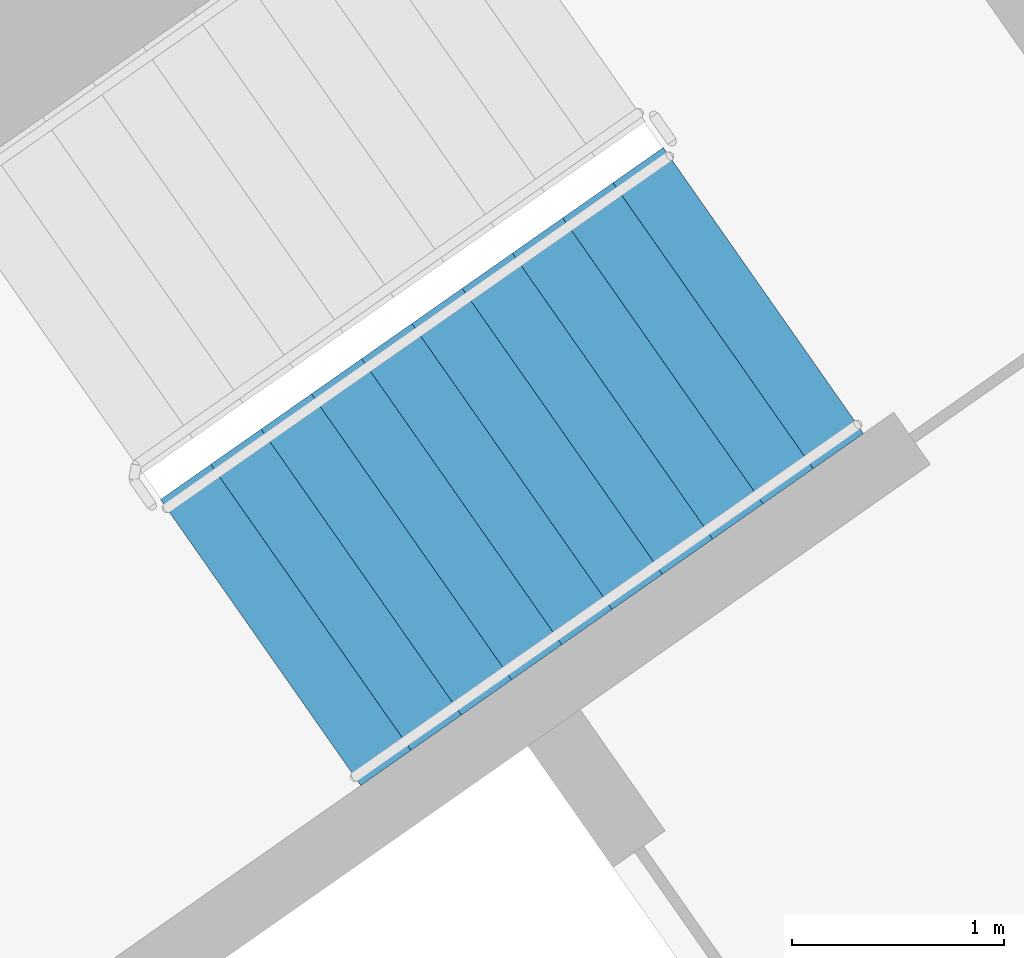
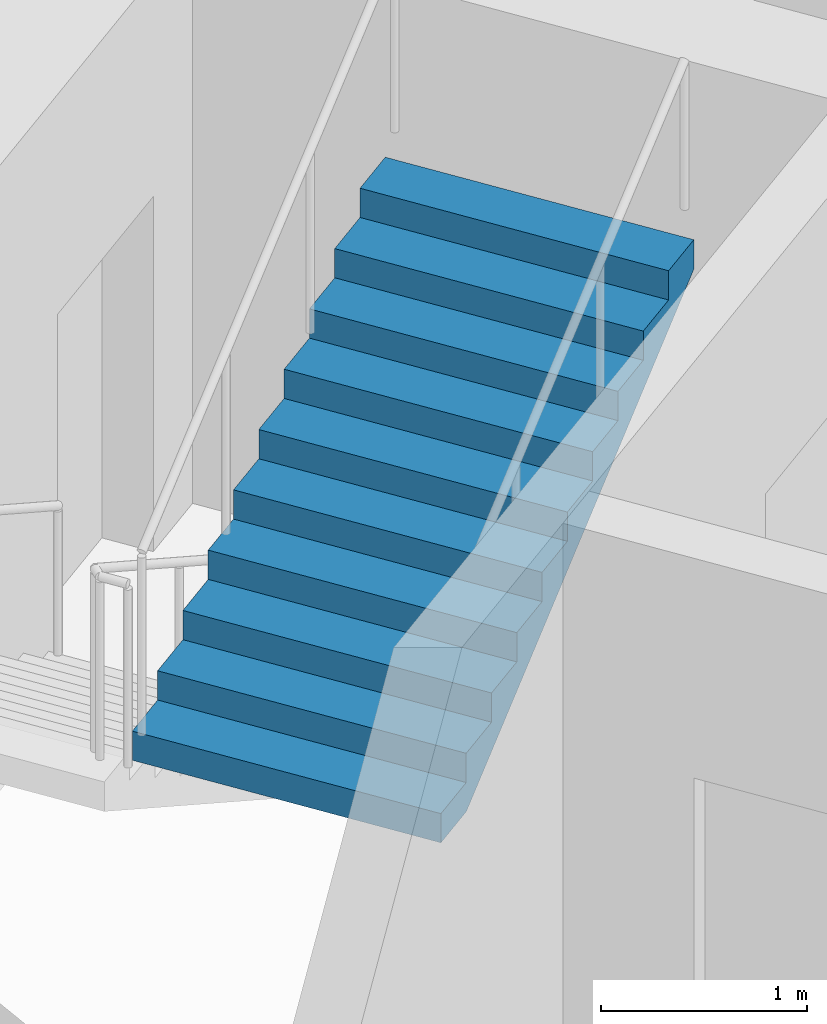
# One storey, part 15 of 27: 1 stair flight, 1 element without a shape of its own.
"""IFC4 building model written with IfcOpenShell, lengths in metres."""

from ifc_helpers import new_model, si_unit, direction, frame, origin, place, context, subcontext, project, spatial, faceted_brep, material, type_object, element, aggregate, save


model = new_model("IFC4")

# Units and contexts
model_context = context("Model", 3, precision=1e-05, world=origin(), true_north=direction((0.0, 1.0)))
body_context = subcontext(model_context, "Body", "Model", "MODEL_VIEW")
ifc_project = project(units=[si_unit("LENGTHUNIT", "METRE"), si_unit("AREAUNIT", "SQUARE_METRE"), si_unit("VOLUMEUNIT", "CUBIC_METRE"), si_unit("PLANEANGLEUNIT", "RADIAN"), si_unit("MASSUNIT", "GRAM", prefix="KILO")], contexts=[model_context])

# Site, building, storey
site_placement = place(None, origin())
site = spatial("IfcSite", under=ifc_project, at=site_placement, CompositionType="ELEMENT")
building_placement = place(site_placement, origin())
building = spatial("IfcBuilding", under=site, at=building_placement, Name="Qamariyya Broadcast Tower", CompositionType="ELEMENT")
storey_placement = place(building_placement, frame((0.0, 0.0, 194.89990234375)))
storey = spatial("IfcBuildingStorey", under=building, at=storey_placement, Name="L46", CompositionType="ELEMENT", Elevation=194.89990234375)

# Stair, stair flight
ifc_material = material(Name="Concrete C50/60", Category="concrete")
stair_type = type_object("IfcStairType", Name="Exit stair 22 risers of 173 mm", PredefinedType="HALF_TURN_STAIR", material=ifc_material)
stair_placement = place(storey_placement, origin())
stair = element("IfcStair", 1, at=stair_placement, inside=storey, type_object=stair_type, Name="L46 Stair E2", PredefinedType="HALF_TURN_STAIR")
stair_flight_type = type_object("IfcStairFlightType", Name="Exit stair flight 11 risers of 173 mm", PredefinedType="STRAIGHT", material=ifc_material)
stair_flight_placement = place(storey_placement, frame((39.215576171875, -50.822998046875, 1.900146484375), z_axis=(0.0, 0.0, 1.0), x_axis=(0.819152044289, 0.573576436351, 0.0)))
stair_flight = element("IfcStairFlight", 2, at=stair_flight_placement, type_object=stair_flight_type, Name="ST-E2 flight 2", NumberOfRisers=11, NumberOfTreads=10, PredefinedType="STRAIGHT", RiserHeight=0.172727273, TreadLength=0.29, context=body_context, shape_type="Brep", body=[
    faceted_brep([(0.0, 0.824951171875, 0.0), (0.0, 0.824951171875, 0.172607421875), (0.2900390625, 0.824951171875, 0.172607421875), (0.2900390625, 0.824951171875, 0.345458984375), (0.580078125, 0.824951171875, 0.345458984375), (0.580078125, 0.824951171875, 0.51806640625), (0.8701171875, 0.824951171875, 0.51806640625), (0.8701171875, 0.824951171875, 0.69091796875), (1.159912109375, 0.824951171875, 0.69091796875), (1.159912109375, 0.824951171875, 0.863525390625), (1.449951171875, 0.824951171875, 0.863525390625), (1.449951171875, 0.824951171875, 1.036376953125), (1.739990234375, 0.824951171875, 1.036376953125), (1.739990234375, 0.824951171875, 1.208984375), (2.030029296875, 0.824951171875, 1.208984375), (2.030029296875, 0.824951171875, 1.3818359375), (2.320068359375, 0.824951171875, 1.3818359375), (2.320068359375, 0.824951171875, 1.554443359375), (2.610107421875, 0.824951171875, 1.554443359375), (2.610107421875, 0.824951171875, 1.727294921875), (2.89990234375, 0.824951171875, 1.727294921875), (2.89990234375, 0.824951171875, 1.552734375), (0.29296875, 0.824951171875, 0.0), (0.29296875, -0.824951171875, 0.0), (2.89990234375, -0.824951171875, 1.552734375), (2.89990234375, -0.824951171875, 1.727294921875), (2.610107421875, -0.824951171875, 1.727294921875), (2.610107421875, -0.824951171875, 1.554443359375), (2.320068359375, -0.824951171875, 1.554443359375), (2.320068359375, -0.824951171875, 1.3818359375), (2.030029296875, -0.824951171875, 1.3818359375), (2.030029296875, -0.824951171875, 1.208984375), (1.739990234375, -0.824951171875, 1.208984375), (1.739990234375, -0.824951171875, 1.036376953125), (1.449951171875, -0.824951171875, 1.036376953125), (1.449951171875, -0.824951171875, 0.863525390625), (1.159912109375, -0.824951171875, 0.863525390625), (1.159912109375, -0.824951171875, 0.69091796875), (0.8701171875, -0.824951171875, 0.69091796875), (0.8701171875, -0.824951171875, 0.51806640625), (0.580078125, -0.824951171875, 0.51806640625), (0.580078125, -0.824951171875, 0.345458984375), (0.2900390625, -0.824951171875, 0.345458984375), (0.2900390625, -0.824951171875, 0.172607421875), (0.0, -0.824951171875, 0.172607421875), (0.0, -0.824951171875, 0.0), (0.0, 0.10009765625, 0.0), (0.0, 0.086669921875, 0.0), (0.0, 0.0732421875, 0.0), (0.0, 0.06005859375, 0.0), (0.0, 0.046630859375, 0.0), (0.0, 0.033447265625, 0.0), (0.0, 0.02001953125, 0.0), (0.0, 0.006591796875, 0.0), (0.0, -0.006591796875, 0.0), (0.0, -0.02001953125, 0.0), (0.0, -0.033447265625, 0.0), (0.0, -0.046630859375, 0.0), (0.0, -0.06005859375, 0.0), (0.0, -0.0732421875, 0.0), (0.0, -0.086669921875, 0.0), (0.0, -0.10009765625, 0.0), (0.0, -0.10009765625, 0.172607421875), (0.0, -0.086669921875, 0.172607421875), (0.0, -0.0732421875, 0.172607421875), (0.0, -0.06005859375, 0.172607421875), (0.0, -0.046630859375, 0.172607421875), (0.0, -0.033447265625, 0.172607421875), (0.0, -0.02001953125, 0.172607421875), (0.0, -0.006591796875, 0.172607421875), (0.0, 0.006591796875, 0.172607421875), (0.0, 0.02001953125, 0.172607421875), (0.0, 0.033447265625, 0.172607421875), (0.0, 0.046630859375, 0.172607421875), (0.0, 0.06005859375, 0.172607421875), (0.0, 0.0732421875, 0.172607421875), (0.0, 0.086669921875, 0.172607421875), (0.0, 0.10009765625, 0.172607421875), (0.2900390625, -0.10009765625, 0.172607421875), (0.2900390625, -0.086669921875, 0.172607421875), (0.2900390625, -0.0732421875, 0.172607421875), (0.2900390625, -0.06005859375, 0.172607421875), (0.2900390625, -0.046630859375, 0.172607421875), (0.2900390625, -0.033447265625, 0.172607421875), (0.2900390625, -0.02001953125, 0.172607421875), (0.2900390625, -0.006591796875, 0.172607421875), (0.2900390625, 0.006591796875, 0.172607421875), (0.2900390625, 0.02001953125, 0.172607421875), (0.2900390625, 0.033447265625, 0.172607421875), (0.2900390625, 0.046630859375, 0.172607421875), (0.2900390625, 0.06005859375, 0.172607421875), (0.2900390625, 0.0732421875, 0.172607421875), (0.2900390625, 0.086669921875, 0.172607421875), (0.2900390625, 0.10009765625, 0.172607421875), (0.2900390625, -0.10009765625, 0.345458984375), (0.2900390625, -0.086669921875, 0.345458984375), (0.2900390625, -0.0732421875, 0.345458984375), (0.2900390625, -0.06005859375, 0.345458984375), (0.2900390625, -0.046630859375, 0.345458984375), (0.2900390625, -0.033447265625, 0.345458984375), (0.2900390625, -0.02001953125, 0.345458984375), (0.2900390625, -0.006591796875, 0.345458984375), (0.2900390625, 0.006591796875, 0.345458984375), (0.2900390625, 0.02001953125, 0.345458984375), (0.2900390625, 0.033447265625, 0.345458984375), (0.2900390625, 0.046630859375, 0.345458984375), (0.2900390625, 0.06005859375, 0.345458984375), (0.2900390625, 0.0732421875, 0.345458984375), (0.2900390625, 0.086669921875, 0.345458984375), (0.2900390625, 0.10009765625, 0.345458984375), (0.580078125, -0.10009765625, 0.345458984375), (0.580078125, -0.086669921875, 0.345458984375), (0.580078125, -0.0732421875, 0.345458984375), (0.580078125, -0.06005859375, 0.345458984375), (0.580078125, -0.046630859375, 0.345458984375), (0.580078125, -0.033447265625, 0.345458984375), (0.580078125, -0.02001953125, 0.345458984375), (0.580078125, -0.006591796875, 0.345458984375), (0.580078125, 0.006591796875, 0.345458984375), (0.580078125, 0.02001953125, 0.345458984375), (0.580078125, 0.033447265625, 0.345458984375), (0.580078125, 0.046630859375, 0.345458984375), (0.580078125, 0.06005859375, 0.345458984375), (0.580078125, 0.0732421875, 0.345458984375), (0.580078125, 0.086669921875, 0.345458984375), (0.580078125, 0.10009765625, 0.345458984375), (0.580078125, -0.10009765625, 0.51806640625), (0.580078125, -0.086669921875, 0.51806640625), (0.580078125, -0.0732421875, 0.51806640625), (0.580078125, -0.06005859375, 0.51806640625), (0.580078125, -0.046630859375, 0.51806640625), (0.580078125, -0.033447265625, 0.51806640625), (0.580078125, -0.02001953125, 0.51806640625), (0.580078125, -0.006591796875, 0.51806640625), (0.580078125, 0.006591796875, 0.51806640625), (0.580078125, 0.02001953125, 0.51806640625), (0.580078125, 0.033447265625, 0.51806640625), (0.580078125, 0.046630859375, 0.51806640625), (0.580078125, 0.06005859375, 0.51806640625), (0.580078125, 0.0732421875, 0.51806640625), (0.580078125, 0.086669921875, 0.51806640625), (0.580078125, 0.10009765625, 0.51806640625), (0.8701171875, -0.10009765625, 0.51806640625), (0.8701171875, -0.086669921875, 0.51806640625), (0.8701171875, -0.0732421875, 0.51806640625), (0.8701171875, -0.06005859375, 0.51806640625), (0.8701171875, -0.046630859375, 0.51806640625), (0.8701171875, -0.033447265625, 0.51806640625), (0.8701171875, -0.02001953125, 0.51806640625), (0.8701171875, -0.006591796875, 0.51806640625), (0.8701171875, 0.006591796875, 0.51806640625), (0.8701171875, 0.02001953125, 0.51806640625), (0.8701171875, 0.033447265625, 0.51806640625), (0.8701171875, 0.046630859375, 0.51806640625), (0.8701171875, 0.06005859375, 0.51806640625), (0.8701171875, 0.0732421875, 0.51806640625), (0.8701171875, 0.086669921875, 0.51806640625), (0.8701171875, 0.10009765625, 0.51806640625), (0.8701171875, -0.10009765625, 0.69091796875), (0.8701171875, -0.086669921875, 0.69091796875), (0.8701171875, -0.0732421875, 0.69091796875), (0.8701171875, -0.06005859375, 0.69091796875), (0.8701171875, -0.046630859375, 0.69091796875), (0.8701171875, -0.033447265625, 0.69091796875), (0.8701171875, -0.02001953125, 0.69091796875), (0.8701171875, -0.006591796875, 0.69091796875), (0.8701171875, 0.006591796875, 0.69091796875), (0.8701171875, 0.02001953125, 0.69091796875), (0.8701171875, 0.033447265625, 0.69091796875), (0.8701171875, 0.046630859375, 0.69091796875), (0.8701171875, 0.06005859375, 0.69091796875), (0.8701171875, 0.0732421875, 0.69091796875), (0.8701171875, 0.086669921875, 0.69091796875), (0.8701171875, 0.10009765625, 0.69091796875), (1.159912109375, -0.10009765625, 0.69091796875), (1.159912109375, -0.086669921875, 0.69091796875), (1.159912109375, -0.0732421875, 0.69091796875), (1.159912109375, -0.06005859375, 0.69091796875), (1.159912109375, -0.046630859375, 0.69091796875), (1.159912109375, -0.033447265625, 0.69091796875), (1.159912109375, -0.02001953125, 0.69091796875), (1.159912109375, -0.006591796875, 0.69091796875), (1.159912109375, 0.006591796875, 0.69091796875), (1.159912109375, 0.02001953125, 0.69091796875), (1.159912109375, 0.033447265625, 0.69091796875), (1.159912109375, 0.046630859375, 0.69091796875), (1.159912109375, 0.06005859375, 0.69091796875), (1.159912109375, 0.0732421875, 0.69091796875), (1.159912109375, 0.086669921875, 0.69091796875), (1.159912109375, 0.10009765625, 0.69091796875), (1.159912109375, -0.10009765625, 0.863525390625), (1.159912109375, -0.086669921875, 0.863525390625), (1.159912109375, -0.0732421875, 0.863525390625), (1.159912109375, -0.06005859375, 0.863525390625), (1.159912109375, -0.046630859375, 0.863525390625), (1.159912109375, -0.033447265625, 0.863525390625), (1.159912109375, -0.02001953125, 0.863525390625), (1.159912109375, -0.006591796875, 0.863525390625), (1.159912109375, 0.006591796875, 0.863525390625), (1.159912109375, 0.02001953125, 0.863525390625), (1.159912109375, 0.033447265625, 0.863525390625), (1.159912109375, 0.046630859375, 0.863525390625), (1.159912109375, 0.06005859375, 0.863525390625), (1.159912109375, 0.0732421875, 0.863525390625), (1.159912109375, 0.086669921875, 0.863525390625), (1.159912109375, 0.10009765625, 0.863525390625), (1.449951171875, -0.10009765625, 0.863525390625), (1.449951171875, -0.086669921875, 0.863525390625), (1.449951171875, -0.0732421875, 0.863525390625), (1.449951171875, -0.06005859375, 0.863525390625), (1.449951171875, -0.046630859375, 0.863525390625), (1.449951171875, -0.033447265625, 0.863525390625), (1.449951171875, -0.02001953125, 0.863525390625), (1.449951171875, -0.006591796875, 0.863525390625), (1.449951171875, 0.006591796875, 0.863525390625), (1.449951171875, 0.02001953125, 0.863525390625), (1.449951171875, 0.033447265625, 0.863525390625), (1.449951171875, 0.046630859375, 0.863525390625), (1.449951171875, 0.06005859375, 0.863525390625), (1.449951171875, 0.0732421875, 0.863525390625), (1.449951171875, 0.086669921875, 0.863525390625), (1.449951171875, 0.10009765625, 0.863525390625), (1.449951171875, -0.10009765625, 1.036376953125), (1.449951171875, -0.086669921875, 1.036376953125), (1.449951171875, -0.0732421875, 1.036376953125), (1.449951171875, -0.06005859375, 1.036376953125), (1.449951171875, -0.046630859375, 1.036376953125), (1.449951171875, -0.033447265625, 1.036376953125), (1.449951171875, -0.02001953125, 1.036376953125), (1.449951171875, -0.006591796875, 1.036376953125), (1.449951171875, 0.006591796875, 1.036376953125), (1.449951171875, 0.02001953125, 1.036376953125), (1.449951171875, 0.033447265625, 1.036376953125), (1.449951171875, 0.046630859375, 1.036376953125), (1.449951171875, 0.06005859375, 1.036376953125), (1.449951171875, 0.0732421875, 1.036376953125), (1.449951171875, 0.086669921875, 1.036376953125), (1.449951171875, 0.10009765625, 1.036376953125), (1.739990234375, -0.10009765625, 1.036376953125), (1.739990234375, -0.086669921875, 1.036376953125), (1.739990234375, -0.0732421875, 1.036376953125), (1.739990234375, -0.06005859375, 1.036376953125), (1.739990234375, -0.046630859375, 1.036376953125), (1.739990234375, -0.033447265625, 1.036376953125), (1.739990234375, -0.02001953125, 1.036376953125), (1.739990234375, -0.006591796875, 1.036376953125), (1.739990234375, 0.006591796875, 1.036376953125), (1.739990234375, 0.02001953125, 1.036376953125), (1.739990234375, 0.033447265625, 1.036376953125), (1.739990234375, 0.046630859375, 1.036376953125), (1.739990234375, 0.06005859375, 1.036376953125), (1.739990234375, 0.0732421875, 1.036376953125), (1.739990234375, 0.086669921875, 1.036376953125), (1.739990234375, 0.10009765625, 1.036376953125), (1.739990234375, -0.10009765625, 1.208984375), (1.739990234375, -0.086669921875, 1.208984375), (1.739990234375, -0.0732421875, 1.208984375), (1.739990234375, -0.06005859375, 1.208984375), (1.739990234375, -0.046630859375, 1.208984375), (1.739990234375, -0.033447265625, 1.208984375), (1.739990234375, -0.02001953125, 1.208984375), (1.739990234375, -0.006591796875, 1.208984375), (1.739990234375, 0.006591796875, 1.208984375), (1.739990234375, 0.02001953125, 1.208984375), (1.739990234375, 0.033447265625, 1.208984375), (1.739990234375, 0.046630859375, 1.208984375), (1.739990234375, 0.06005859375, 1.208984375), (1.739990234375, 0.0732421875, 1.208984375), (1.739990234375, 0.086669921875, 1.208984375), (1.739990234375, 0.10009765625, 1.208984375), (2.030029296875, -0.10009765625, 1.208984375), (2.030029296875, -0.086669921875, 1.208984375), (2.030029296875, -0.0732421875, 1.208984375), (2.030029296875, -0.06005859375, 1.208984375), (2.030029296875, -0.046630859375, 1.208984375), (2.030029296875, -0.033447265625, 1.208984375), (2.030029296875, -0.02001953125, 1.208984375), (2.030029296875, -0.006591796875, 1.208984375), (2.030029296875, 0.006591796875, 1.208984375), (2.030029296875, 0.02001953125, 1.208984375), (2.030029296875, 0.033447265625, 1.208984375), (2.030029296875, 0.046630859375, 1.208984375), (2.030029296875, 0.06005859375, 1.208984375), (2.030029296875, 0.0732421875, 1.208984375), (2.030029296875, 0.086669921875, 1.208984375), (2.030029296875, 0.10009765625, 1.208984375), (2.030029296875, -0.10009765625, 1.3818359375), (2.030029296875, -0.086669921875, 1.3818359375), (2.030029296875, -0.0732421875, 1.3818359375), (2.030029296875, -0.06005859375, 1.3818359375), (2.030029296875, -0.046630859375, 1.3818359375), (2.030029296875, -0.033447265625, 1.3818359375), (2.030029296875, -0.02001953125, 1.3818359375), (2.030029296875, -0.006591796875, 1.3818359375), (2.030029296875, 0.006591796875, 1.3818359375), (2.030029296875, 0.02001953125, 1.3818359375), (2.030029296875, 0.033447265625, 1.3818359375), (2.030029296875, 0.046630859375, 1.3818359375), (2.030029296875, 0.06005859375, 1.3818359375), (2.030029296875, 0.0732421875, 1.3818359375), (2.030029296875, 0.086669921875, 1.3818359375), (2.030029296875, 0.10009765625, 1.3818359375), (2.320068359375, -0.10009765625, 1.3818359375), (2.320068359375, -0.086669921875, 1.3818359375), (2.320068359375, -0.0732421875, 1.3818359375), (2.320068359375, -0.06005859375, 1.3818359375), (2.320068359375, -0.046630859375, 1.3818359375), (2.320068359375, -0.033447265625, 1.3818359375), (2.320068359375, -0.02001953125, 1.3818359375), (2.320068359375, -0.006591796875, 1.3818359375), (2.320068359375, 0.006591796875, 1.3818359375), (2.320068359375, 0.02001953125, 1.3818359375), (2.320068359375, 0.033447265625, 1.3818359375), (2.320068359375, 0.046630859375, 1.3818359375), (2.320068359375, 0.06005859375, 1.3818359375), (2.320068359375, 0.0732421875, 1.3818359375), (2.320068359375, 0.086669921875, 1.3818359375), (2.320068359375, 0.10009765625, 1.3818359375), (2.320068359375, -0.10009765625, 1.554443359375), (2.320068359375, -0.086669921875, 1.554443359375), (2.320068359375, -0.0732421875, 1.554443359375), (2.320068359375, -0.06005859375, 1.554443359375), (2.320068359375, -0.046630859375, 1.554443359375), (2.320068359375, -0.033447265625, 1.554443359375), (2.320068359375, -0.02001953125, 1.554443359375), (2.320068359375, -0.006591796875, 1.554443359375), (2.320068359375, 0.006591796875, 1.554443359375), (2.320068359375, 0.02001953125, 1.554443359375), (2.320068359375, 0.033447265625, 1.554443359375), (2.320068359375, 0.046630859375, 1.554443359375), (2.320068359375, 0.06005859375, 1.554443359375), (2.320068359375, 0.0732421875, 1.554443359375), (2.320068359375, 0.086669921875, 1.554443359375), (2.320068359375, 0.10009765625, 1.554443359375), (2.610107421875, -0.10009765625, 1.554443359375), (2.610107421875, -0.086669921875, 1.554443359375), (2.610107421875, -0.0732421875, 1.554443359375), (2.610107421875, -0.06005859375, 1.554443359375), (2.610107421875, -0.046630859375, 1.554443359375), (2.610107421875, -0.033447265625, 1.554443359375), (2.610107421875, -0.02001953125, 1.554443359375), (2.610107421875, -0.006591796875, 1.554443359375), (2.610107421875, 0.006591796875, 1.554443359375), (2.610107421875, 0.02001953125, 1.554443359375), (2.610107421875, 0.033447265625, 1.554443359375), (2.610107421875, 0.046630859375, 1.554443359375), (2.610107421875, 0.06005859375, 1.554443359375), (2.610107421875, 0.0732421875, 1.554443359375), (2.610107421875, 0.086669921875, 1.554443359375), (2.610107421875, 0.10009765625, 1.554443359375), (2.610107421875, -0.10009765625, 1.727294921875), (2.610107421875, -0.086669921875, 1.727294921875), (2.610107421875, -0.0732421875, 1.727294921875), (2.610107421875, -0.06005859375, 1.727294921875), (2.610107421875, -0.046630859375, 1.727294921875), (2.610107421875, -0.033447265625, 1.727294921875), (2.610107421875, -0.02001953125, 1.727294921875), (2.610107421875, -0.006591796875, 1.727294921875), (2.610107421875, 0.006591796875, 1.727294921875), (2.610107421875, 0.02001953125, 1.727294921875), (2.610107421875, 0.033447265625, 1.727294921875), (2.610107421875, 0.046630859375, 1.727294921875), (2.610107421875, 0.06005859375, 1.727294921875), (2.610107421875, 0.0732421875, 1.727294921875), (2.610107421875, 0.086669921875, 1.727294921875), (2.610107421875, 0.10009765625, 1.727294921875), (2.89990234375, -0.10009765625, 1.727294921875), (2.89990234375, -0.086669921875, 1.727294921875), (2.89990234375, -0.0732421875, 1.727294921875), (2.89990234375, -0.06005859375, 1.727294921875), (2.89990234375, -0.046630859375, 1.727294921875), (2.89990234375, -0.033447265625, 1.727294921875), (2.89990234375, -0.02001953125, 1.727294921875), (2.89990234375, -0.006591796875, 1.727294921875), (2.89990234375, 0.006591796875, 1.727294921875), (2.89990234375, 0.02001953125, 1.727294921875), (2.89990234375, 0.033447265625, 1.727294921875), (2.89990234375, 0.046630859375, 1.727294921875), (2.89990234375, 0.06005859375, 1.727294921875), (2.89990234375, 0.0732421875, 1.727294921875), (2.89990234375, 0.086669921875, 1.727294921875), (2.89990234375, 0.10009765625, 1.727294921875), (2.89990234375, -0.10009765625, 1.552734375), (2.89990234375, -0.086669921875, 1.552734375), (2.89990234375, -0.0732421875, 1.552734375), (2.89990234375, -0.06005859375, 1.552734375), (2.89990234375, -0.046630859375, 1.552734375), (2.89990234375, -0.033447265625, 1.552734375), (2.89990234375, -0.02001953125, 1.552734375), (2.89990234375, -0.006591796875, 1.552734375), (2.89990234375, 0.006591796875, 1.552734375), (2.89990234375, 0.02001953125, 1.552734375), (2.89990234375, 0.033447265625, 1.552734375), (2.89990234375, 0.046630859375, 1.552734375), (2.89990234375, 0.06005859375, 1.552734375), (2.89990234375, 0.0732421875, 1.552734375), (2.89990234375, 0.086669921875, 1.552734375), (2.89990234375, 0.10009765625, 1.552734375), (0.29296875, -0.10009765625, 0.0), (0.29296875, -0.086669921875, 0.0), (0.29296875, -0.0732421875, 0.0), (0.29296875, -0.06005859375, 0.0), (0.29296875, -0.046630859375, 0.0), (0.29296875, -0.033447265625, 0.0), (0.29296875, -0.02001953125, 0.0), (0.29296875, -0.006591796875, 0.0), (0.29296875, 0.006591796875, 0.0), (0.29296875, 0.02001953125, 0.0), (0.29296875, 0.033447265625, 0.0), (0.29296875, 0.046630859375, 0.0), (0.29296875, 0.06005859375, 0.0), (0.29296875, 0.0732421875, 0.0), (0.29296875, 0.086669921875, 0.0), (0.29296875, 0.10009765625, 0.0)], [[[0, 1, 2, 3, 4, 5, 6, 7, 8, 9, 10, 11, 12, 13, 14, 15, 16, 17, 18, 19, 20, 21, 22]], [[23, 24, 25, 26, 27, 28, 29, 30, 31, 32, 33, 34, 35, 36, 37, 38, 39, 40, 41, 42, 43, 44, 45]], [[0, 46, 47, 48, 49, 50, 51, 52, 53, 54, 55, 56, 57, 58, 59, 60, 61, 45, 44, 62, 63, 64, 65, 66, 67, 68, 69, 70, 71, 72, 73, 74, 75, 76, 77, 1]], [[1, 77, 76, 75, 74, 73, 72, 71, 70, 69, 68, 67, 66, 65, 64, 63, 62, 44, 43, 78, 79, 80, 81, 82, 83, 84, 85, 86, 87, 88, 89, 90, 91, 92, 93, 2]], [[2, 93, 92, 91, 90, 89, 88, 87, 86, 85, 84, 83, 82, 81, 80, 79, 78, 43, 42, 94, 95, 96, 97, 98, 99, 100, 101, 102, 103, 104, 105, 106, 107, 108, 109, 3]], [[3, 109, 108, 107, 106, 105, 104, 103, 102, 101, 100, 99, 98, 97, 96, 95, 94, 42, 41, 110, 111, 112, 113, 114, 115, 116, 117, 118, 119, 120, 121, 122, 123, 124, 125, 4]], [[4, 125, 124, 123, 122, 121, 120, 119, 118, 117, 116, 115, 114, 113, 112, 111, 110, 41, 40, 126, 127, 128, 129, 130, 131, 132, 133, 134, 135, 136, 137, 138, 139, 140, 141, 5]], [[5, 141, 140, 139, 138, 137, 136, 135, 134, 133, 132, 131, 130, 129, 128, 127, 126, 40, 39, 142, 143, 144, 145, 146, 147, 148, 149, 150, 151, 152, 153, 154, 155, 156, 157, 6]], [[6, 157, 156, 155, 154, 153, 152, 151, 150, 149, 148, 147, 146, 145, 144, 143, 142, 39, 38, 158, 159, 160, 161, 162, 163, 164, 165, 166, 167, 168, 169, 170, 171, 172, 173, 7]], [[7, 173, 172, 171, 170, 169, 168, 167, 166, 165, 164, 163, 162, 161, 160, 159, 158, 38, 37, 174, 175, 176, 177, 178, 179, 180, 181, 182, 183, 184, 185, 186, 187, 188, 189, 8]], [[8, 189, 188, 187, 186, 185, 184, 183, 182, 181, 180, 179, 178, 177, 176, 175, 174, 37, 36, 190, 191, 192, 193, 194, 195, 196, 197, 198, 199, 200, 201, 202, 203, 204, 205, 9]], [[9, 205, 204, 203, 202, 201, 200, 199, 198, 197, 196, 195, 194, 193, 192, 191, 190, 36, 35, 206, 207, 208, 209, 210, 211, 212, 213, 214, 215, 216, 217, 218, 219, 220, 221, 10]], [[10, 221, 220, 219, 218, 217, 216, 215, 214, 213, 212, 211, 210, 209, 208, 207, 206, 35, 34, 222, 223, 224, 225, 226, 227, 228, 229, 230, 231, 232, 233, 234, 235, 236, 237, 11]], [[11, 237, 236, 235, 234, 233, 232, 231, 230, 229, 228, 227, 226, 225, 224, 223, 222, 34, 33, 238, 239, 240, 241, 242, 243, 244, 245, 246, 247, 248, 249, 250, 251, 252, 253, 12]], [[12, 253, 252, 251, 250, 249, 248, 247, 246, 245, 244, 243, 242, 241, 240, 239, 238, 33, 32, 254, 255, 256, 257, 258, 259, 260, 261, 262, 263, 264, 265, 266, 267, 268, 269, 13]], [[13, 269, 268, 267, 266, 265, 264, 263, 262, 261, 260, 259, 258, 257, 256, 255, 254, 32, 31, 270, 271, 272, 273, 274, 275, 276, 277, 278, 279, 280, 281, 282, 283, 284, 285, 14]], [[14, 285, 284, 283, 282, 281, 280, 279, 278, 277, 276, 275, 274, 273, 272, 271, 270, 31, 30, 286, 287, 288, 289, 290, 291, 292, 293, 294, 295, 296, 297, 298, 299, 300, 301, 15]], [[15, 301, 300, 299, 298, 297, 296, 295, 294, 293, 292, 291, 290, 289, 288, 287, 286, 30, 29, 302, 303, 304, 305, 306, 307, 308, 309, 310, 311, 312, 313, 314, 315, 316, 317, 16]], [[16, 317, 316, 315, 314, 313, 312, 311, 310, 309, 308, 307, 306, 305, 304, 303, 302, 29, 28, 318, 319, 320, 321, 322, 323, 324, 325, 326, 327, 328, 329, 330, 331, 332, 333, 17]], [[17, 333, 332, 331, 330, 329, 328, 327, 326, 325, 324, 323, 322, 321, 320, 319, 318, 28, 27, 334, 335, 336, 337, 338, 339, 340, 341, 342, 343, 344, 345, 346, 347, 348, 349, 18]], [[18, 349, 348, 347, 346, 345, 344, 343, 342, 341, 340, 339, 338, 337, 336, 335, 334, 27, 26, 350, 351, 352, 353, 354, 355, 356, 357, 358, 359, 360, 361, 362, 363, 364, 365, 19]], [[19, 365, 364, 363, 362, 361, 360, 359, 358, 357, 356, 355, 354, 353, 352, 351, 350, 26, 25, 366, 367, 368, 369, 370, 371, 372, 373, 374, 375, 376, 377, 378, 379, 380, 381, 20]], [[20, 381, 380, 379, 378, 377, 376, 375, 374, 373, 372, 371, 370, 369, 368, 367, 366, 25, 24, 382, 383, 384, 385, 386, 387, 388, 389, 390, 391, 392, 393, 394, 395, 396, 397, 21]], [[21, 397, 396, 395, 394, 393, 392, 391, 390, 389, 388, 387, 386, 385, 384, 383, 382, 24, 23, 398, 399, 400, 401, 402, 403, 404, 405, 406, 407, 408, 409, 410, 411, 412, 413, 22]], [[22, 413, 412, 411, 410, 409, 408, 407, 406, 405, 404, 403, 402, 401, 400, 399, 398, 23, 45, 61, 60, 59, 58, 57, 56, 55, 54, 53, 52, 51, 50, 49, 48, 47, 46, 0]]]),
])
aggregate(stair, [stair_flight])

save(model, "model.ifc")
